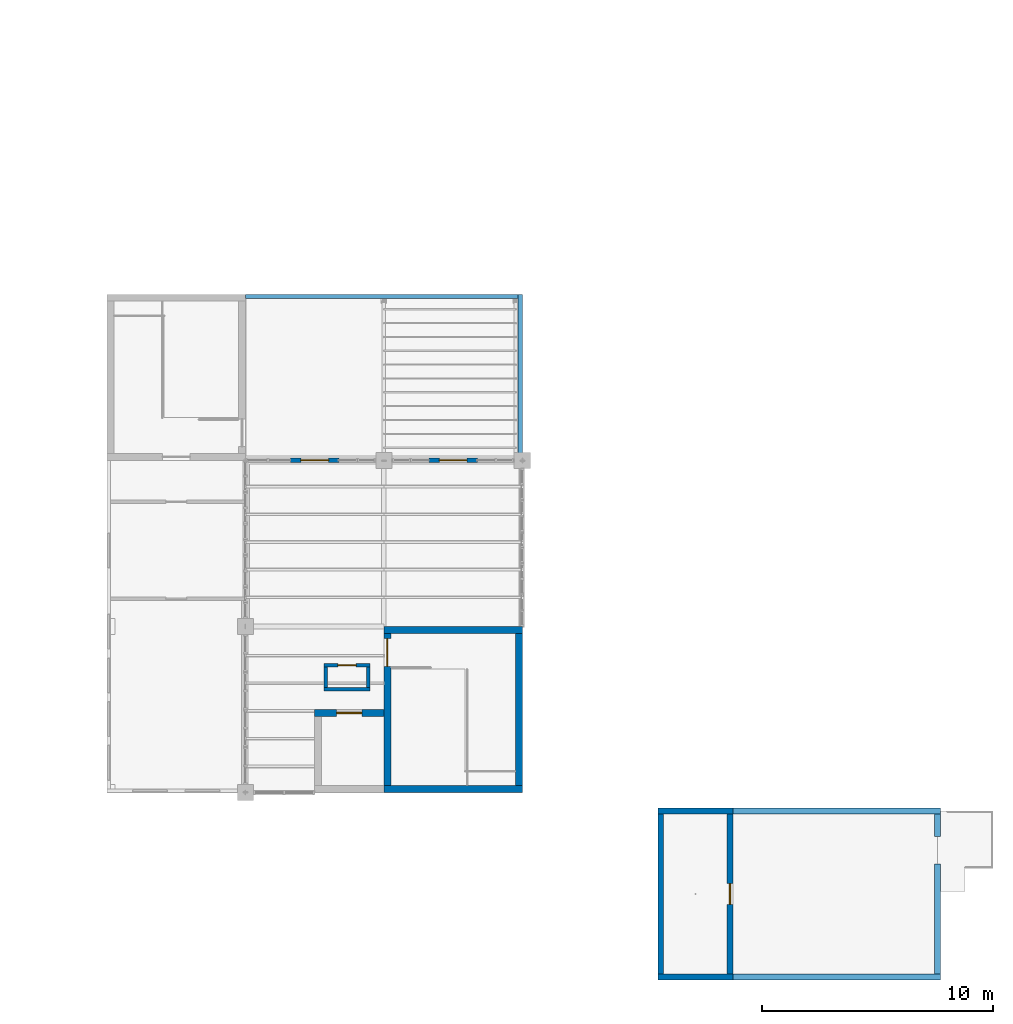
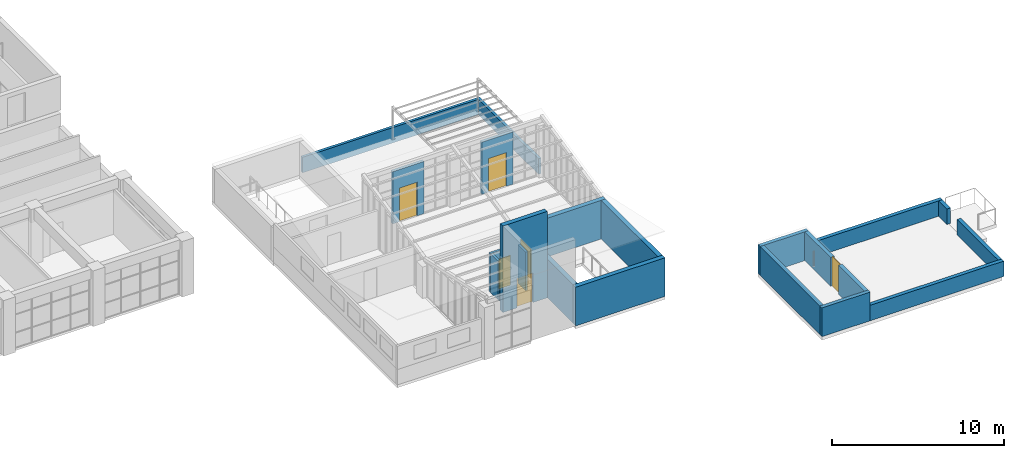
# One storey, part 39 of 51: 21 walls, 6 doors, 6 openings.
"""IFC4 building model written with IfcOpenShell, lengths in metres."""

from ifc_helpers import new_model, si_unit, direction, frame, frame_2d, origin, place, context, subcontext, project, spatial, rectangle, extrude, material, layer, layer_set, type_object, element, fill, save


model = new_model("IFC4")

# Units and contexts
model_context = context("Model", 3, precision=1e-05, world=origin(), true_north=direction((0.0, 1.0)))
body_context = subcontext(model_context, "Body", "Model", "MODEL_VIEW")
ifc_project = project(units=[si_unit("LENGTHUNIT", "METRE"), si_unit("AREAUNIT", "SQUARE_METRE"), si_unit("VOLUMEUNIT", "CUBIC_METRE"), si_unit("PLANEANGLEUNIT", "RADIAN"), si_unit("MASSUNIT", "GRAM", prefix="KILO")], contexts=[model_context])

# Site, building, storey
site_placement = place(None, origin())
site = spatial("IfcSite", under=ifc_project, at=site_placement, CompositionType="ELEMENT")
building_placement = place(site_placement, origin())
building = spatial("IfcBuilding", under=site, at=building_placement, Name="Laocheng Heights Fire and Rescue Headquarters", CompositionType="ELEMENT")
storey_placement = place(building_placement, frame((0.0, 0.0, 21.0)))
storey = spatial("IfcBuildingStorey", under=building, at=storey_placement, Name="L05", CompositionType="ELEMENT", Elevation=21.0)

# Wall, opening, door
ifc_material_1 = material(Name="Precast concrete C40/50", Category="concrete")
ifc_layer_1 = layer(ifc_material_1, 0.199951171875)
ifc_layer_set_1 = layer_set([ifc_layer_1], Name="Precast concrete C40/50")
wall_type_1 = type_object("IfcWallType", Name="PRECAST ENTRANCE FRAME WALL CREW 200", PredefinedType="SOLIDWALL", material=ifc_layer_set_1)
wall_1_placement = place(storey_placement, frame((97.949951171875, 50.39990234375, 0.0), z_axis=(0.0, 0.0, 1.0), x_axis=(1.0, 0.0, 0.0)))
wall_1 = element("IfcWall", 1, at=wall_1_placement, inside=storey, type_object=wall_type_1, Name="PRECAST ENTRANCE FRAME WALL CREW CREW LOUNGE NORTH L05", PredefinedType="SOLIDWALL", context=body_context, shape_type="SweptSolid", body=[
    extrude(rectangle(XDim=2.10009765625, YDim=0.199951171875, at=frame_2d((1.050048828125, 0.0))), origin(), (0.0, 0.0, 1.0), 3.71435546875),
])
opening_1_placement = place(wall_1_placement, frame((0.449951171875, 0.0, 0.0)))
opening_1 = element("IfcOpeningElement", 2, at=opening_1_placement, cuts=wall_1, Name="Opening L05-W01", PredefinedType="OPENING", context=body_context, shape_type="SweptSolid", body=[
    extrude(rectangle(XDim=1.199951171875, YDim=2.39990234375, at=frame_2d((0.60009765625, 1.199951171875))), frame((0.0, 0.10986328125, 0.0), z_axis=(0.0, -1.0, 0.0), x_axis=(1.0, 0.0, 0.0)), (0.0, 0.0, 1.0), 0.219970703125),
])
ifc_material_2 = material(Name="Dark anodised aluminium framed glazed door, low-e glazing", Category="aluminium")
door_type_1 = type_object("IfcDoorType", Name="ROOF LOUNGE GARDEN DOOR 1200 x 2400", OperationType="SINGLE_SWING_LEFT", PredefinedType="DOOR", material=ifc_material_2)
door_1_placement = place(opening_1_placement, frame((1.199951171875, 0.0, 0.0), z_axis=(0.0, 0.0, 1.0), x_axis=(-1.0, 0.0, 0.0)))
door_1 = element("IfcDoor", 3, at=door_1_placement, inside=storey, type_object=door_type_1, Name="ROOF LOUNGE GARDEN DOOR CREW LOUNGE NORTH L05", OperationType="SINGLE_SWING_RIGHT", OverallHeight=2.39990234375, OverallWidth=1.199951171875, PredefinedType="DOOR", context=body_context, shape_type="SweptSolid", body=[
    extrude(rectangle(XDim=1.199951171875, YDim=2.39990234375, at=frame_2d((0.60009765625, 1.199951171875))), frame((0.0, 0.02490234375, 0.0), z_axis=(0.0, -1.0, 0.0), x_axis=(1.0, 0.0, 0.0)), (0.0, 0.0, 1.0), 0.050048828125),
])
fill(opening_1, door_1)

wall_2_placement = place(storey_placement, frame((103.949951171875, 50.39990234375, 0.0), z_axis=(0.0, 0.0, 1.0), x_axis=(1.0, 0.0, 0.0)))
wall_2 = element("IfcWall", 4, at=wall_2_placement, inside=storey, type_object=wall_type_1, Name="PRECAST ENTRANCE FRAME WALL CREW CREW LOUNGE NORTH L05", PredefinedType="SOLIDWALL", context=body_context, shape_type="SweptSolid", body=[
    extrude(rectangle(XDim=2.10009765625, YDim=0.199951171875, at=frame_2d((1.050048828125, 0.0))), origin(), (0.0, 0.0, 1.0), 3.71435546875),
])
opening_2_placement = place(wall_2_placement, frame((0.449951171875, 0.0, 0.0)))
opening_2 = element("IfcOpeningElement", 5, at=opening_2_placement, cuts=wall_2, Name="Opening L05-W02", PredefinedType="OPENING", context=body_context, shape_type="SweptSolid", body=[
    extrude(rectangle(XDim=1.199951171875, YDim=2.39990234375, at=frame_2d((0.60009765625, 1.199951171875))), frame((0.0, 0.10986328125, 0.0), z_axis=(0.0, -1.0, 0.0), x_axis=(1.0, 0.0, 0.0)), (0.0, 0.0, 1.0), 0.219970703125),
])
door_2_placement = place(opening_2_placement, frame((1.199951171875, 0.0, 0.0), z_axis=(0.0, 0.0, 1.0), x_axis=(-1.0, 0.0, 0.0)))
door_2 = element("IfcDoor", 6, at=door_2_placement, inside=storey, type_object=door_type_1, Name="ROOF LOUNGE GARDEN DOOR CREW LOUNGE NORTH L05", OperationType="SINGLE_SWING_RIGHT", OverallHeight=2.39990234375, OverallWidth=1.199951171875, PredefinedType="DOOR", context=body_context, shape_type="SweptSolid", body=[
    extrude(rectangle(XDim=1.199951171875, YDim=2.39990234375, at=frame_2d((0.60009765625, 1.199951171875))), frame((0.0, 0.02490234375, 0.0), z_axis=(0.0, -1.0, 0.0), x_axis=(1.0, 0.0, 0.0)), (0.0, 0.0, 1.0), 0.050048828125),
])
fill(opening_2, door_2)

# Walls
ifc_material_3 = material(Name="Precast concrete C40/50", Category="concrete")
ifc_layer_2 = layer(ifc_material_3, 0.179931640625)
ifc_layer_set_2 = layer_set([ifc_layer_2], Name="Precast concrete C40/50")
wall_type_2 = type_object("IfcWallType", Name="PRECAST PARAPET 200 x 1100", PredefinedType="PARAPET", material=ifc_layer_set_2)
wall_3_placement = place(storey_placement, frame((107.909912109375, 50.419921875, 0.0), z_axis=(0.0, 0.0, 1.0), x_axis=(0.0, 1.0, 0.0)))
element("IfcWall", 7, at=wall_3_placement, inside=storey, type_object=wall_type_2, Name="Crew Garden parapet", PredefinedType="PARAPET", context=body_context, shape_type="SweptSolid", body=[
    extrude(rectangle(XDim=7.18017578125, YDim=0.179931640625, at=frame_2d((3.590087890625, 0.0))), origin(), (0.0, 0.0, 1.0), 1.10009765625),
])
wall_4_placement = place(storey_placement, frame((96.0, 57.510009765625, 0.0), z_axis=(0.0, 0.0, 1.0), x_axis=(1.0, 0.0, 0.0)))
element("IfcWall", 8, at=wall_4_placement, inside=storey, type_object=wall_type_2, Name="Crew Garden parapet", PredefinedType="PARAPET", context=body_context, shape_type="SweptSolid", body=[
    extrude(rectangle(XDim=12.0, YDim=0.179931640625, at=frame_2d((6.0, 0.0))), origin(), (0.0, 0.0, 1.0), 1.10009765625),
])

# Wall, opening, door
ifc_material_4 = material(Name="Concrete C50", Category="concrete")
ifc_layer_3 = layer(ifc_material_4, 0.300048828125)
ifc_layer_set_3 = layer_set([ifc_layer_3], Name="Concrete C50")
wall_type_3 = type_object("IfcWallType", Name="RC LIFT SHAFT WALL 300", PredefinedType="SHEAR", material=ifc_layer_set_3)
wall_5_placement = place(storey_placement, frame((99.0, 39.449951171875, 0.0), z_axis=(0.0, 0.0, 1.0), x_axis=(1.0, 0.0, 0.0)))
wall_5 = element("IfcWall", 9, at=wall_5_placement, inside=storey, type_object=wall_type_3, Name="Lift shaft wall", PredefinedType="SHEAR", context=body_context, shape_type="SweptSolid", body=[
    extrude(rectangle(XDim=3.0, YDim=0.300048828125, at=frame_2d((1.5, 0.0))), origin(), (0.0, 0.0, 1.0), 6.14990234375),
])
opening_3_placement = place(wall_5_placement, frame((0.949951171875, 0.0, 0.0)))
opening_3 = element("IfcOpeningElement", 10, at=opening_3_placement, cuts=wall_5, Name="Opening L05-K02", PredefinedType="OPENING", context=body_context, shape_type="SweptSolid", body=[
    extrude(rectangle(XDim=1.10009765625, YDim=2.10009765625, at=frame_2d((0.550048828125, 1.050048828125))), frame((0.0, 0.159912109375, 0.0), z_axis=(0.0, -1.0, 0.0), x_axis=(1.0, 0.0, 0.0)), (0.0, 0.0, 1.0), 0.320068359375),
])
ifc_material_5 = material(Name="Stainless steel", Category="steel")
door_type_2 = type_object("IfcDoorType", Name="LANDING DOOR C-L1 SLIDING 1100x2100 E 120", OperationType="DOUBLE_DOOR_SLIDING", PredefinedType="DOOR", material=ifc_material_5)
door_3_placement = place(opening_3_placement, origin())
door_3 = element("IfcDoor", 11, at=door_3_placement, inside=storey, type_object=door_type_2, Name="Landing door C-L1", OperationType="DOUBLE_DOOR_SLIDING", OverallHeight=2.10009765625, OverallWidth=1.10009765625, PredefinedType="DOOR", context=body_context, shape_type="SweptSolid", body=[
    extrude(rectangle(XDim=1.10009765625, YDim=2.10009765625, at=frame_2d((0.550048828125, 1.050048828125))), frame((0.0, 0.02490234375, 0.0), z_axis=(0.0, -1.0, 0.0), x_axis=(1.0, 0.0, 0.0)), (0.0, 0.0, 1.0), 0.050048828125),
])
fill(opening_3, door_3)

# Walls
ifc_material_6 = material(Name="Concrete C40", Category="concrete")
ifc_layer_4 = layer(ifc_material_6, 0.25)
ifc_layer_set_4 = layer_set([ifc_layer_4], Name="Concrete C40")
wall_type_4 = type_object("IfcWallType", Name="RC LOOKOUT WALL 250 DRILL TOWER", PredefinedType="SHEAR", material=ifc_layer_set_4)
for number, where, z_axis, x_axis, name in (
    (12, (113.875, 28.0, 0.0), (0.0, 0.0, 1.0), (1.0, 0.0, 0.0), "Lookout wall south"),
    (13, (113.875, 35.199951171875, 0.0), (0.0, 0.0, 1.0), (1.0, 0.0, 0.0), "Lookout wall north"),
):
    element("IfcWall", number, at=place(storey_placement, frame(where, z_axis=z_axis, x_axis=x_axis)), inside=storey, type_object=wall_type_4, Name=name, PredefinedType="SHEAR", context=body_context, shape_type="SweptSolid", body=[
        extrude(rectangle(XDim=3.25, YDim=0.25, at=frame_2d((1.625, 0.0))), origin(), (0.0, 0.0, 1.0), 2.050048828125),
    ])
wall_6_placement = place(storey_placement, frame((114.0, 28.125, 0.0), z_axis=(0.0, 0.0, 1.0), x_axis=(0.0, 1.0, 0.0)))
element("IfcWall", 14, at=wall_6_placement, inside=storey, type_object=wall_type_4, Name="Lookout wall west", PredefinedType="SHEAR", context=body_context, shape_type="SweptSolid", body=[
    extrude(rectangle(XDim=6.949951171875, YDim=0.25, at=frame_2d((3.47509765625, 0.0))), origin(), (0.0, 0.0, 1.0), 2.050048828125),
])

# Wall, opening, door
wall_7_placement = place(storey_placement, frame((117.0, 28.125, 0.0), z_axis=(0.0, 0.0, 1.0), x_axis=(0.0, 1.0, 0.0)))
wall_7 = element("IfcWall", 15, at=wall_7_placement, inside=storey, type_object=wall_type_4, Name="Lookout wall east", PredefinedType="SHEAR", context=body_context, shape_type="SweptSolid", body=[
    extrude(rectangle(XDim=6.949951171875, YDim=0.25, at=frame_2d((3.47509765625, 0.0))), origin(), (0.0, 0.0, 1.0), 2.050048828125),
])
opening_4_placement = place(wall_7_placement, frame((3.02490234375, 0.0, 0.0)))
opening_4 = element("IfcOpeningElement", 16, at=opening_4_placement, cuts=wall_7, Name="Opening L05-L01", PredefinedType="OPENING", context=body_context, shape_type="SweptSolid", body=[
    extrude(rectangle(XDim=0.89990234375, YDim=2.10009765625, at=frame_2d((0.449951171875, 1.050048828125))), frame((0.0, 0.135009765625, 0.0), z_axis=(0.0, -1.0, 0.0), x_axis=(1.0, 0.0, 0.0)), (0.0, 0.0, 1.0), 0.27001953125),
])
ifc_material_7 = material(Name="Steel door leaf, painted", Category="steel")
door_type_3 = type_object("IfcDoorType", Name="STEEL DOOR 900x2100 EI 30 LOOKOUT", OperationType="SINGLE_SWING_LEFT", PredefinedType="DOOR", material=ifc_material_7)
door_4_placement = place(opening_4_placement, origin())
door_4 = element("IfcDoor", 17, at=door_4_placement, inside=storey, type_object=door_type_3, Name="Door L05-L01", OperationType="SINGLE_SWING_LEFT", OverallHeight=2.10009765625, OverallWidth=0.89990234375, PredefinedType="DOOR", context=body_context, shape_type="SweptSolid", body=[
    extrude(rectangle(XDim=0.89990234375, YDim=2.10009765625, at=frame_2d((0.449951171875, 1.050048828125))), frame((0.0, 0.02490234375, 0.0), z_axis=(0.0, -1.0, 0.0), x_axis=(1.0, 0.0, 0.0)), (0.0, 0.0, 1.0), 0.050048828125),
])
fill(opening_4, door_4)

# Walls
ifc_material_8 = material(Name="Concrete C40", Category="concrete")
ifc_layer_5 = layer(ifc_material_8, 0.25)
ifc_layer_set_5 = layer_set([ifc_layer_5], Name="Concrete C40")
wall_type_5 = type_object("IfcWallType", Name="RC PARAPET WALL 250 DRILL TOWER", PredefinedType="PARAPET", material=ifc_layer_set_5)
for number, where, z_axis, x_axis, name in (
    (18, (117.125, 28.0, 0.0), (0.0, 0.0, 1.0), (1.0, 0.0, 0.0), "Drill tower parapet south"),
    (19, (117.125, 35.199951171875, 0.0), (0.0, 0.0, 1.0), (1.0, 0.0, 0.0), "Drill tower parapet north"),
):
    element("IfcWall", number, at=place(storey_placement, frame(where, z_axis=z_axis, x_axis=x_axis)), inside=storey, type_object=wall_type_5, Name=name, PredefinedType="PARAPET", context=body_context, shape_type="SweptSolid", body=[
        extrude(rectangle(XDim=9.0, YDim=0.25, at=frame_2d((4.5, 0.0))), origin(), (0.0, 0.0, 1.0), 1.10009765625),
    ])
wall_8_placement = place(storey_placement, frame((126.0, 28.125, 0.0), z_axis=(0.0, 0.0, 1.0), x_axis=(0.0, 1.0, 0.0)))
element("IfcWall", 20, at=wall_8_placement, inside=storey, type_object=wall_type_5, Name="Drill tower parapet east", PredefinedType="PARAPET", context=body_context, shape_type="SweptSolid", body=[
    extrude(rectangle(XDim=4.77490234375, YDim=0.25, at=frame_2d((2.387451171875, 0.0))), origin(), (0.0, 0.0, 1.0), 1.10009765625),
])
wall_9_placement = place(storey_placement, frame((126.0, 34.10009765625, 0.0), z_axis=(0.0, 0.0, 1.0), x_axis=(0.0, 1.0, 0.0)))
element("IfcWall", 21, at=wall_9_placement, inside=storey, type_object=wall_type_5, Name="Drill tower parapet east", PredefinedType="PARAPET", context=body_context, shape_type="SweptSolid", body=[
    extrude(rectangle(XDim=0.974853515625, YDim=0.25, at=frame_2d((0.4873046875, 0.0))), origin(), (0.0, 0.0, 1.0), 1.10009765625),
])
ifc_material_9 = material(Name="Concrete C50", Category="concrete")
ifc_layer_6 = layer(ifc_material_9, 0.300048828125)
ifc_layer_set_6 = layer_set([ifc_layer_6], Name="Concrete C50")
wall_type_6 = type_object("IfcWallType", Name="RC STAIR ENCLOSURE WALL 300", PredefinedType="SHEAR", material=ifc_layer_set_6)
for number, where, z_axis, x_axis, name in (
    (22, (102.0, 36.14990234375, 0.0), (0.0, 0.0, 1.0), (1.0, 0.0, 0.0), "Stair enclosure wall"),
    (23, (102.0, 43.050048828125, 0.0), (0.0, 0.0, 1.0), (1.0, 0.0, 0.0), "Stair enclosure wall"),
):
    element("IfcWall", number, at=place(storey_placement, frame(where, z_axis=z_axis, x_axis=x_axis)), inside=storey, type_object=wall_type_6, Name=name, PredefinedType="SHEAR", context=body_context, shape_type="SweptSolid", body=[
        extrude(rectangle(XDim=6.0, YDim=0.300048828125, at=frame_2d((3.0, 0.0))), origin(), (0.0, 0.0, 1.0), 2.75),
    ])

# Wall, opening, door
wall_10_placement = place(storey_placement, frame((102.14990234375, 36.300048828125, 0.0), z_axis=(0.0, 0.0, 1.0), x_axis=(0.0, 1.0, 0.0)))
wall_10 = element("IfcWall", 24, at=wall_10_placement, inside=storey, type_object=wall_type_6, Name="Stair enclosure wall", PredefinedType="SHEAR", context=body_context, shape_type="SweptSolid", body=[
    extrude(rectangle(XDim=6.599853515625, YDim=0.300048828125, at=frame_2d((3.2998046875, 0.0))), origin(), (0.0, 0.0, 1.0), 2.75),
])
opening_5_placement = place(wall_10_placement, frame((5.175048828125, 0.0, 0.0)))
opening_5 = element("IfcOpeningElement", 25, at=opening_5_placement, cuts=wall_10, Name="Opening L05-K01", PredefinedType="OPENING", context=body_context, shape_type="SweptSolid", body=[
    extrude(rectangle(XDim=1.199951171875, YDim=2.10009765625, at=frame_2d((0.60009765625, 1.050048828125))), frame((0.0, 0.159912109375, 0.0), z_axis=(0.0, -1.0, 0.0), x_axis=(1.0, 0.0, 0.0)), (0.0, 0.0, 1.0), 0.320068359375),
])
ifc_material_10 = material(Name="Painted steel", Category="steel")
door_type_4 = type_object("IfcDoorType", Name="FIRE DOOR 1200x2100 EI 60", OperationType="SINGLE_SWING_LEFT", PredefinedType="DOOR", material=ifc_material_10)
door_5_placement = place(opening_5_placement, frame((1.199951171875, 0.0, 0.0), z_axis=(0.0, 0.0, 1.0), x_axis=(-1.0, 0.0, 0.0)))
door_5 = element("IfcDoor", 26, at=door_5_placement, inside=storey, type_object=door_type_4, Name="Stair C1 door", OperationType="SINGLE_SWING_LEFT", OverallHeight=2.10009765625, OverallWidth=1.199951171875, PredefinedType="DOOR", context=body_context, shape_type="SweptSolid", body=[
    extrude(rectangle(XDim=1.199951171875, YDim=2.10009765625, at=frame_2d((0.60009765625, 1.050048828125))), frame((0.0, 0.02490234375, 0.0), z_axis=(0.0, -1.0, 0.0), x_axis=(1.0, 0.0, 0.0)), (0.0, 0.0, 1.0), 0.050048828125),
])
fill(opening_5, door_5)

# Walls
wall_11_placement = place(storey_placement, frame((107.85009765625, 36.300048828125, 0.0), z_axis=(0.0, 0.0, 1.0), x_axis=(0.0, 1.0, 0.0)))
element("IfcWall", 27, at=wall_11_placement, inside=storey, type_object=wall_type_6, Name="Stair enclosure wall", PredefinedType="SHEAR", context=body_context, shape_type="SweptSolid", body=[
    extrude(rectangle(XDim=6.599853515625, YDim=0.300048828125, at=frame_2d((3.2998046875, 0.0))), origin(), (0.0, 0.0, 1.0), 2.75),
])
ifc_material_11 = material(Name="Concrete C30", Category="concrete")
ifc_layer_7 = layer(ifc_material_11, 0.14990234375)
ifc_layer_set_7 = layer_set([ifc_layer_7], Name="Concrete C30")
wall_type_7 = type_object("IfcWallType", Name="RISER SHAFT WALL 150", PredefinedType="SOLIDWALL", material=ifc_layer_set_7)
wall_12_placement = place(storey_placement, frame((99.39990234375, 40.47509765625, 0.0), z_axis=(0.0, 0.0, 1.0), x_axis=(1.0, 0.0, 0.0)))
element("IfcWall", 28, at=wall_12_placement, inside=storey, type_object=wall_type_7, Name="Riser shaft wall", PredefinedType="SOLIDWALL", context=body_context, shape_type="SweptSolid", body=[
    extrude(rectangle(XDim=2.0, YDim=0.14990234375, at=frame_2d((1.0, 0.0))), origin(), (0.0, 0.0, 1.0), 2.75),
])

# Wall, opening, door
wall_13_placement = place(storey_placement, frame((99.39990234375, 41.52490234375, 0.0), z_axis=(0.0, 0.0, 1.0), x_axis=(1.0, 0.0, 0.0)))
wall_13 = element("IfcWall", 29, at=wall_13_placement, inside=storey, type_object=wall_type_7, Name="Riser shaft wall", PredefinedType="SOLIDWALL", context=body_context, shape_type="SweptSolid", body=[
    extrude(rectangle(XDim=2.0, YDim=0.14990234375, at=frame_2d((1.0, 0.0))), origin(), (0.0, 0.0, 1.0), 2.75),
])
opening_6_placement = place(wall_13_placement, frame((0.60009765625, 0.0, 0.0)))
opening_6 = element("IfcOpeningElement", 30, at=opening_6_placement, cuts=wall_13, Name="Opening L05-K03", PredefinedType="OPENING", context=body_context, shape_type="SweptSolid", body=[
    extrude(rectangle(XDim=0.800048828125, YDim=2.10009765625, at=frame_2d((0.39990234375, 1.050048828125))), frame((0.0, 0.0849609375, 0.0), z_axis=(0.0, -1.0, 0.0), x_axis=(1.0, 0.0, 0.0)), (0.0, 0.0, 1.0), 0.169921875),
])
ifc_material_12 = material(Name="Painted steel", Category="steel")
door_type_5 = type_object("IfcDoorType", Name="RISER ACCESS DOOR 800x2100 EI 30", OperationType="SINGLE_SWING_LEFT", PredefinedType="DOOR", material=ifc_material_12)
door_6_placement = place(opening_6_placement, origin())
door_6 = element("IfcDoor", 31, at=door_6_placement, inside=storey, type_object=door_type_5, Name="Riser RC1 access door", OperationType="SINGLE_SWING_RIGHT", OverallHeight=2.10009765625, OverallWidth=0.800048828125, PredefinedType="DOOR", context=body_context, shape_type="SweptSolid", body=[
    extrude(rectangle(XDim=0.800048828125, YDim=2.10009765625, at=frame_2d((0.39990234375, 1.050048828125))), frame((0.0, 0.02490234375, 0.0), z_axis=(0.0, -1.0, 0.0), x_axis=(1.0, 0.0, 0.0)), (0.0, 0.0, 1.0), 0.050048828125),
])
fill(opening_6, door_6)

# Walls
for number, where, z_axis, x_axis, name in (
    (32, (99.47509765625, 40.550048828125, 0.0), (0.0, 0.0, 1.0), (0.0, 1.0, 0.0), "Riser shaft wall"),
    (33, (101.324951171875, 40.550048828125, 0.0), (0.0, 0.0, 1.0), (0.0, 1.0, 0.0), "Riser shaft wall"),
):
    element("IfcWall", number, at=place(storey_placement, frame(where, z_axis=z_axis, x_axis=x_axis)), inside=storey, type_object=wall_type_7, Name=name, PredefinedType="SOLIDWALL", context=body_context, shape_type="SweptSolid", body=[
        extrude(rectangle(XDim=0.89990234375, YDim=0.14990234375, at=frame_2d((0.449951171875, 0.0))), origin(), (0.0, 0.0, 1.0), 2.75),
    ])

save(model, "model.ifc")
